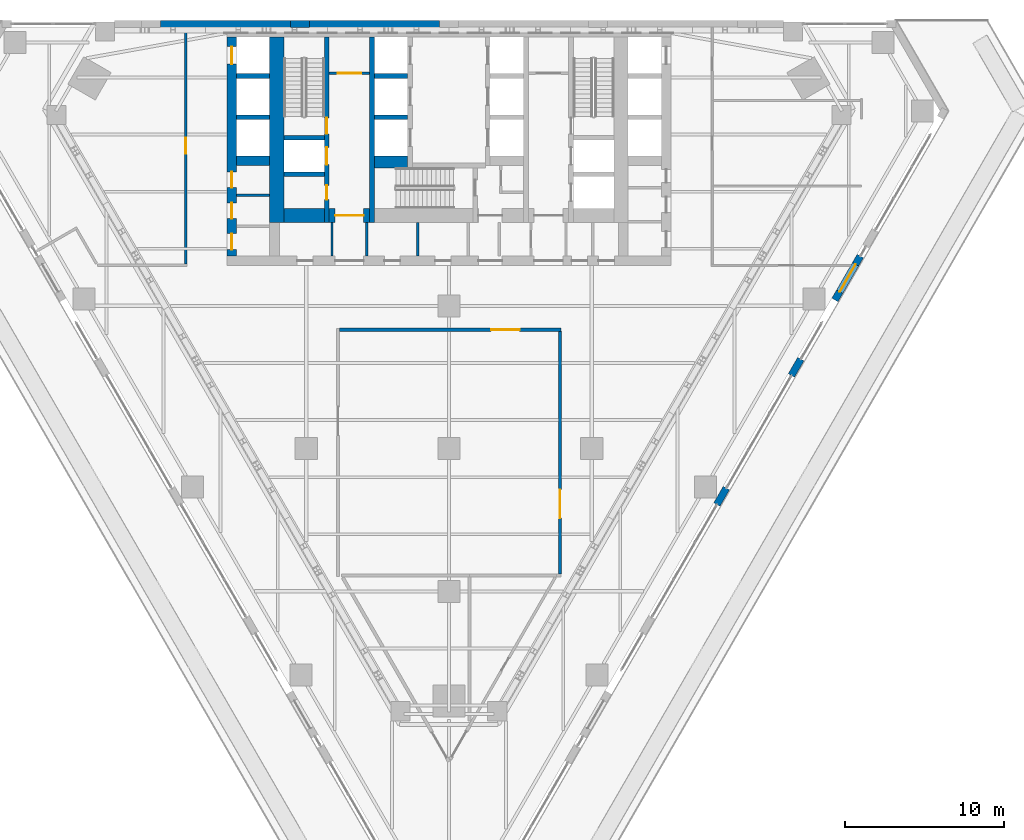
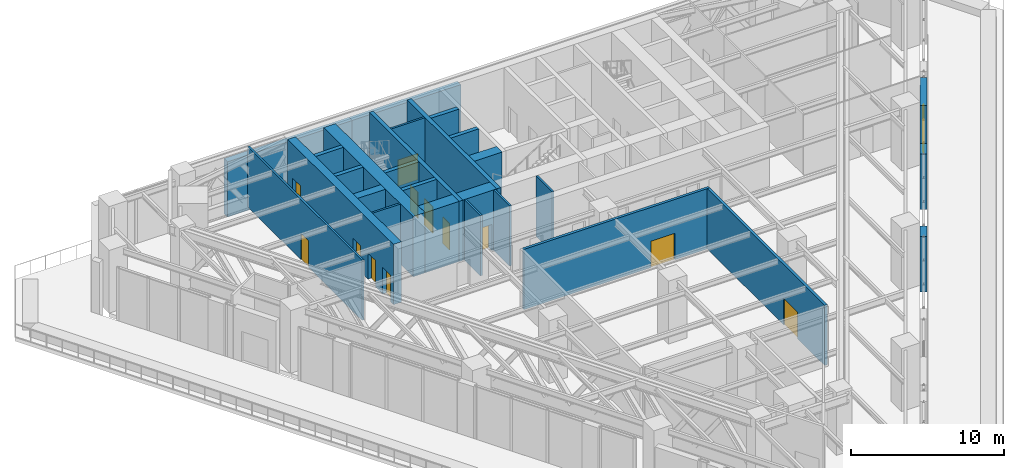
# One storey, part 19 of 25: 28 walls, 13 doors, 13 openings.
"""IFC4 building model written with IfcOpenShell, lengths in metres."""

from ifc_helpers import new_model, si_unit, direction, frame, frame_2d, origin, place, context, subcontext, project, spatial, rectangle, extrude, material, layer, layer_set, type_object, element, fill, save


model = new_model("IFC4")

# Units and contexts
model_context = context("Model", 3, precision=1e-05, world=origin(), true_north=direction((0.0, 1.0)))
body_context = subcontext(model_context, "Body", "Model", "MODEL_VIEW")
ifc_project = project(units=[si_unit("LENGTHUNIT", "METRE"), si_unit("AREAUNIT", "SQUARE_METRE"), si_unit("VOLUMEUNIT", "CUBIC_METRE"), si_unit("PLANEANGLEUNIT", "RADIAN"), si_unit("MASSUNIT", "GRAM", prefix="KILO")], contexts=[model_context])

# Site, building, storey
site_placement = place(None, origin())
site = spatial("IfcSite", under=ifc_project, at=site_placement, CompositionType="ELEMENT")
building_placement = place(site_placement, origin())
building = spatial("IfcBuilding", under=site, at=building_placement, Name="Aloe Facet Convention Tower", CompositionType="ELEMENT")
storey_placement = place(building_placement, frame((0.0, 0.0, 30.0)))
storey = spatial("IfcBuildingStorey", under=building, at=storey_placement, Name="L05", CompositionType="ELEMENT", Elevation=30.0)

# Wall
ifc_material_1 = material(Name="Concrete blockwork partition", Category="masonry")
ifc_layer_1 = layer(ifc_material_1, 0.14990234375)
ifc_layer_set_1 = layer_set([ifc_layer_1], Name="CR-W-PART150")
wall_type_1 = type_object("IfcWallType", Name="CR-W-PART150", PredefinedType="PARTITIONING", material=ifc_layer_set_1)
wall_1_placement = place(storey_placement, frame((66.60009765625, 123.97509765625, 0.0), z_axis=(0.0, 0.0, 1.0), x_axis=(1.0, 0.0, 0.0)))
element("IfcWall", 1, at=wall_1_placement, inside=storey, type_object=wall_type_1, Name="Core partition L05-007", PredefinedType="PARTITIONING", context=body_context, shape_type="SweptSolid", body=[
    extrude(rectangle(XDim=2.099853515625, YDim=0.14990234375, at=frame_2d((1.0498046875, 0.0))), origin(), (0.0, 0.0, 1.0), 4.800048828125),
])

# Wall, opening, door
wall_2_placement = place(storey_placement, frame((72.449951171875, 131.675048828125, 0.0), z_axis=(0.0, 0.0, 1.0), x_axis=(1.0, 0.0, 0.0)))
wall_2 = element("IfcWall", 2, at=wall_2_placement, inside=storey, type_object=wall_type_1, Name="Core partition L05-015", PredefinedType="PARTITIONING", context=body_context, shape_type="SweptSolid", body=[
    extrude(rectangle(XDim=2.550048828125, YDim=0.14990234375, at=frame_2d((1.27490234375, 0.0))), origin(), (0.0, 0.0, 1.0), 4.800048828125),
])
opening_1_placement = place(wall_2_placement, frame((0.52490234375, 0.0, 0.0)))
opening_1 = element("IfcOpeningElement", 3, at=opening_1_placement, cuts=wall_2, Name="Opening L05-CD22", PredefinedType="OPENING", context=body_context, shape_type="SweptSolid", body=[
    extrude(rectangle(XDim=1.5, YDim=2.10009765625, at=frame_2d((0.75, 1.050048828125))), frame((0.0, 0.0849609375, 0.0), z_axis=(0.0, -1.0, 0.0), x_axis=(1.0, 0.0, 0.0)), (0.0, 0.0, 1.0), 0.169921875),
])
ifc_material_2 = material(Name="Steel fire-resisting door set FD60", Category="steel")
door_type_1 = type_object("IfcDoorType", Name="CR-D-REFUGE-1500-FD60-DD", OperationType="DOUBLE_DOOR_DOUBLE_SWING", PredefinedType="DOOR", material=ifc_material_2)
door_1_placement = place(opening_1_placement, origin())
door_1 = element("IfcDoor", 4, at=door_1_placement, inside=storey, type_object=door_type_1, Name="Core door L05-CD22", OperationType="DOUBLE_DOOR_DOUBLE_SWING", OverallHeight=2.10009765625, OverallWidth=1.5, PredefinedType="DOOR", context=body_context, shape_type="SweptSolid", body=[
    extrude(rectangle(XDim=1.5, YDim=2.10009765625, at=frame_2d((0.75, 1.050048828125))), frame((0.0, 0.02490234375, 0.0), z_axis=(0.0, -1.0, 0.0), x_axis=(1.0, 0.0, 0.0)), (0.0, 0.0, 1.0), 0.050048828125),
])
fill(opening_1, door_1)

# Walls
for number, where, z_axis, x_axis, name in (
    (5, (72.625, 122.25, 0.0), (0.0, 0.0, 1.0), (0.0, -1.0, 0.0), "Core partition L05-017"),
    (6, (74.824951171875, 122.25, 0.0), (0.0, 0.0, 1.0), (0.0, -1.0, 0.0), "Core partition L05-018"),
    (7, (78.02490234375, 122.25, 0.0), (0.0, 0.0, 1.0), (0.0, -1.0, 0.0), "Core partition L05-026"),
):
    element("IfcWall", number, at=place(storey_placement, frame(where, z_axis=z_axis, x_axis=x_axis)), inside=storey, type_object=wall_type_1, Name=name, PredefinedType="PARTITIONING", context=body_context, shape_type="SweptSolid", body=[
        extrude(rectangle(XDim=2.10009765625, YDim=0.14990234375, at=frame_2d((1.050048828125, 0.0))), origin(), (0.0, 0.0, 1.0), 4.800048828125),
    ])
ifc_material_3 = material(Name="Concrete C80/95", Category="concrete")
ifc_layer_2 = layer(ifc_material_3, 0.300048828125)
ifc_layer_set_2 = layer_set([ifc_layer_2], Name="CR-W-RC300-C8095")
wall_type_2 = type_object("IfcWallType", Name="CR-W-RC300-C8095", PredefinedType="SOLIDWALL", material=ifc_layer_set_2)
for number, where, z_axis, x_axis, name in (
    (8, (66.60009765625, 131.5, 0.0), (0.0, 0.0, 1.0), (1.0, 0.0, 0.0), "Core wall L05-004"),
    (9, (66.60009765625, 128.89990234375, 0.0), (0.0, 0.0, 1.0), (1.0, 0.0, 0.0), "Core wall L05-005"),
):
    element("IfcWall", number, at=place(storey_placement, frame(where, z_axis=z_axis, x_axis=x_axis)), inside=storey, type_object=wall_type_2, Name=name, PredefinedType="SOLIDWALL", context=body_context, shape_type="SweptSolid", body=[
        extrude(rectangle(XDim=2.099853515625, YDim=0.300048828125, at=frame_2d((1.0498046875, 0.0))), origin(), (0.0, 0.0, 1.0), 4.800048828125),
    ])
for number, where, z_axis, x_axis, name in (
    (10, (69.60009765625, 127.60009765625, 0.0), (0.0, 0.0, 1.0), (1.0, 0.0, 0.0), "Core wall L05-011"),
    (11, (69.60009765625, 125.300048828125, 0.0), (0.0, 0.0, 1.0), (1.0, 0.0, 0.0), "Core wall L05-012"),
):
    element("IfcWall", number, at=place(storey_placement, frame(where, z_axis=z_axis, x_axis=x_axis)), inside=storey, type_object=wall_type_2, Name=name, PredefinedType="SOLIDWALL", context=body_context, shape_type="SweptSolid", body=[
        extrude(rectangle(XDim=2.5498046875, YDim=0.300048828125, at=frame_2d((1.27490234375, 0.0))), origin(), (0.0, 0.0, 1.0), 4.800048828125),
    ])

# Wall, openings, doors
wall_3_placement = place(storey_placement, frame((72.300048828125, 133.949951171875, 0.0), z_axis=(0.0, 0.0, 1.0), x_axis=(0.0, -1.0, 0.0)))
wall_3 = element("IfcWall", 12, at=wall_3_placement, inside=storey, type_object=wall_type_2, Name="Core wall L05-014", PredefinedType="SOLIDWALL", context=body_context, shape_type="SweptSolid", body=[
    extrude(rectangle(XDim=11.699951171875, YDim=0.300048828125, at=frame_2d((5.85009765625, 0.0))), origin(), (0.0, 0.0, 1.0), 4.800048828125),
])
opening_2_placement = place(wall_3_placement, frame((6.949951171875, 0.0, 0.0)))
opening_2 = element("IfcOpeningElement", 13, at=opening_2_placement, cuts=wall_3, Name="Opening LD-FF1-L05", PredefinedType="OPENING", context=body_context, shape_type="SweptSolid", body=[
    extrude(rectangle(XDim=1.10009765625, YDim=2.10009765625, at=frame_2d((0.550048828125, 1.050048828125))), frame((0.0, 0.16015625, 0.0), z_axis=(0.0, -1.0, 0.0), x_axis=(1.0, 0.0, 0.0)), (0.0, 0.0, 1.0), 0.320068359375),
])
opening_3_placement = place(wall_3_placement, frame((9.35009765625, 0.0, 0.0)))
opening_3 = element("IfcOpeningElement", 14, at=opening_3_placement, cuts=wall_3, Name="Opening L05-CD23", PredefinedType="OPENING", context=body_context, shape_type="SweptSolid", body=[
    extrude(rectangle(XDim=0.89990234375, YDim=2.10009765625, at=frame_2d((0.449951171875, 1.050048828125))), frame((0.0, 0.16015625, 0.0), z_axis=(0.0, -1.0, 0.0), x_axis=(1.0, 0.0, 0.0)), (0.0, 0.0, 1.0), 0.320068359375),
])
opening_4_placement = place(wall_3_placement, frame((5.10009765625, 0.0, 0.0)))
opening_4 = element("IfcOpeningElement", 15, at=opening_4_placement, cuts=wall_3, Name="Opening L05-CD30", PredefinedType="OPENING", context=body_context, shape_type="SweptSolid", body=[
    extrude(rectangle(XDim=1.0, YDim=2.10009765625, at=frame_2d((0.5, 1.050048828125))), frame((0.0, 0.16015625, 0.0), z_axis=(0.0, -1.0, 0.0), x_axis=(1.0, 0.0, 0.0)), (0.0, 0.0, 1.0), 0.320068359375),
])
ifc_material_4 = material(Name="Steel fire-resisting door set FD60", Category="steel")
door_type_2 = type_object("IfcDoorType", Name="CR-D-ROOM-900-FD60-SLEFT", OperationType="SINGLE_SWING_LEFT", PredefinedType="DOOR", material=ifc_material_4)
door_2_placement = place(opening_3_placement, origin())
door_2 = element("IfcDoor", 16, at=door_2_placement, inside=storey, type_object=door_type_2, Name="Core door L05-CD23", OperationType="SINGLE_SWING_LEFT", OverallHeight=2.10009765625, OverallWidth=0.89990234375, PredefinedType="DOOR", context=body_context, shape_type="SweptSolid", body=[
    extrude(rectangle(XDim=0.89990234375, YDim=2.10009765625, at=frame_2d((0.449951171875, 1.050048828125))), frame((0.0, 0.02490234375, 0.0), z_axis=(0.0, -1.0, 0.0), x_axis=(1.0, 0.0, 0.0)), (0.0, 0.0, 1.0), 0.050048828125),
])
fill(opening_3, door_2)
ifc_material_5 = material(Name="Steel fire-resisting door set FD120", Category="steel")
door_type_3 = type_object("IfcDoorType", Name="CR-D-STAIR-1000-FD120-SRIGHT", OperationType="SINGLE_SWING_RIGHT", PredefinedType="DOOR", material=ifc_material_5)
door_3_placement = place(opening_4_placement, origin())
door_3 = element("IfcDoor", 17, at=door_3_placement, inside=storey, type_object=door_type_3, Name="Core door L05-CD30", OperationType="SINGLE_SWING_RIGHT", OverallHeight=2.10009765625, OverallWidth=1.0, PredefinedType="DOOR", context=body_context, shape_type="SweptSolid", body=[
    extrude(rectangle(XDim=1.0, YDim=2.10009765625, at=frame_2d((0.5, 1.050048828125))), frame((0.0, 0.02490234375, 0.0), z_axis=(0.0, -1.0, 0.0), x_axis=(1.0, 0.0, 0.0)), (0.0, 0.0, 1.0), 0.050048828125),
])
fill(opening_4, door_3)
ifc_material_6 = material(Name="Stainless steel sliding landing door", Category="steel")
door_type_4 = type_object("IfcDoorType", Name="CR-LD-1100-FD120-_LEFT", OperationType="SLIDING_TO_LEFT", PredefinedType="DOOR", material=ifc_material_6)
door_4_placement = place(opening_2_placement, origin())
door_4 = element("IfcDoor", 18, at=door_4_placement, inside=storey, type_object=door_type_4, Name="Landing door FF1 L05", OperationType="SLIDING_TO_LEFT", OverallHeight=2.10009765625, OverallWidth=1.10009765625, PredefinedType="DOOR", context=body_context, shape_type="SweptSolid", body=[
    extrude(rectangle(XDim=1.10009765625, YDim=2.10009765625, at=frame_2d((0.550048828125, 1.050048828125))), frame((0.0, 0.02490234375, 0.0), z_axis=(0.0, -1.0, 0.0), x_axis=(1.0, 0.0, 0.0)), (0.0, 0.0, 1.0), 0.050048828125),
])
fill(opening_2, door_4)

# Walls
wall_4_placement = place(storey_placement, frame((75.14990234375, 133.949951171875, 0.0), z_axis=(0.0, 0.0, 1.0), x_axis=(0.0, -1.0, 0.0)))
element("IfcWall", 19, at=wall_4_placement, inside=storey, type_object=wall_type_2, Name="Core wall L05-019", PredefinedType="SOLIDWALL", context=body_context, shape_type="SweptSolid", body=[
    extrude(rectangle(XDim=11.699951171875, YDim=0.300048828125, at=frame_2d((5.85009765625, 0.0))), origin(), (0.0, 0.0, 1.0), 4.800048828125),
])
for number, where, z_axis, x_axis, name in (
    (20, (75.300048828125, 131.5, 0.0), (0.0, 0.0, 1.0), (1.0, 0.0, 0.0), "Core wall L05-020"),
    (21, (75.300048828125, 128.89990234375, 0.0), (0.0, 0.0, 1.0), (1.0, 0.0, 0.0), "Core wall L05-021"),
):
    element("IfcWall", number, at=place(storey_placement, frame(where, z_axis=z_axis, x_axis=x_axis)), inside=storey, type_object=wall_type_2, Name=name, PredefinedType="SOLIDWALL", context=body_context, shape_type="SweptSolid", body=[
        extrude(rectangle(XDim=2.099853515625, YDim=0.300048828125, at=frame_2d((1.0498046875, 0.0))), origin(), (0.0, 0.0, 1.0), 4.800048828125),
    ])

# Wall, openings, doors
ifc_material_7 = material(Name="Concrete C80/95", Category="concrete")
ifc_layer_3 = layer(ifc_material_7, 0.60009765625)
ifc_layer_set_3 = layer_set([ifc_layer_3], Name="CR-W-RC600-C8095")
wall_type_3 = type_object("IfcWallType", Name="CR-W-RC600-C8095", PredefinedType="SOLIDWALL", material=ifc_layer_set_3)
wall_5_placement = place(storey_placement, frame((66.300048828125, 133.949951171875, 0.0), z_axis=(0.0, 0.0, 1.0), x_axis=(0.0, -1.0, 0.0)))
wall_5 = element("IfcWall", 22, at=wall_5_placement, inside=storey, type_object=wall_type_3, Name="Core wall L05-002", PredefinedType="SOLIDWALL", context=body_context, shape_type="SweptSolid", body=[
    extrude(rectangle(XDim=13.800048828125, YDim=0.60009765625, at=frame_2d((6.89990234375, 0.0))), origin(), (0.0, 0.0, 1.0), 4.800048828125),
])
opening_5_placement = place(wall_5_placement, frame((0.60009765625, 0.0, 0.0)))
opening_5 = element("IfcOpeningElement", 23, at=opening_5_placement, cuts=wall_5, Name="Opening LD-A7-L05", PredefinedType="OPENING", context=body_context, shape_type="SweptSolid", body=[
    extrude(rectangle(XDim=1.10009765625, YDim=2.10009765625, at=frame_2d((0.550048828125, 1.050048828125))), frame((0.0, 0.31005859375, 0.0), z_axis=(0.0, -1.0, 0.0), x_axis=(1.0, 0.0, 0.0)), (0.0, 0.0, 1.0), 0.6201171875),
])
opening_6_placement = place(wall_5_placement, frame((12.39990234375, 0.0, 0.0)))
opening_6 = element("IfcOpeningElement", 24, at=opening_6_placement, cuts=wall_5, Name="Opening L05-CD34", PredefinedType="OPENING", context=body_context, shape_type="SweptSolid", body=[
    extrude(rectangle(XDim=1.0, YDim=2.10009765625, at=frame_2d((0.5, 1.050048828125))), frame((0.0, 0.31005859375, 0.0), z_axis=(0.0, -1.0, 0.0), x_axis=(1.0, 0.0, 0.0)), (0.0, 0.0, 1.0), 0.6201171875),
])
opening_7_placement = place(wall_5_placement, frame((8.5, 0.0, 0.0)))
opening_7 = element("IfcOpeningElement", 25, at=opening_7_placement, cuts=wall_5, Name="Opening L05-CD35", PredefinedType="OPENING", context=body_context, shape_type="SweptSolid", body=[
    extrude(rectangle(XDim=1.0, YDim=2.10009765625, at=frame_2d((0.5, 1.050048828125))), frame((0.0, 0.31005859375, 0.0), z_axis=(0.0, -1.0, 0.0), x_axis=(1.0, 0.0, 0.0)), (0.0, 0.0, 1.0), 0.6201171875),
])
opening_8_placement = place(wall_5_placement, frame((10.449951171875, 0.0, 0.0)))
opening_8 = element("IfcOpeningElement", 26, at=opening_8_placement, cuts=wall_5, Name="Opening L05-CD36", PredefinedType="OPENING", context=body_context, shape_type="SweptSolid", body=[
    extrude(rectangle(XDim=1.0, YDim=2.10009765625, at=frame_2d((0.5, 1.050048828125))), frame((0.0, 0.31005859375, 0.0), z_axis=(0.0, -1.0, 0.0), x_axis=(1.0, 0.0, 0.0)), (0.0, 0.0, 1.0), 0.6201171875),
])
ifc_material_8 = material(Name="Steel fire-resisting door set FD60", Category="steel")
door_type_5 = type_object("IfcDoorType", Name="CR-D-ROOM-1000-FD60-SLEFT", OperationType="SINGLE_SWING_LEFT", PredefinedType="DOOR", material=ifc_material_8)
door_5_placement = place(opening_6_placement, origin())
door_5 = element("IfcDoor", 27, at=door_5_placement, inside=storey, type_object=door_type_5, Name="Core door L05-CD34", OperationType="SINGLE_SWING_LEFT", OverallHeight=2.10009765625, OverallWidth=1.0, PredefinedType="DOOR", context=body_context, shape_type="SweptSolid", body=[
    extrude(rectangle(XDim=1.0, YDim=2.10009765625, at=frame_2d((0.5, 1.050048828125))), frame((0.0, 0.02490234375, 0.0), z_axis=(0.0, -1.0, 0.0), x_axis=(1.0, 0.0, 0.0)), (0.0, 0.0, 1.0), 0.050048828125),
])
fill(opening_6, door_5)
door_6_placement = place(opening_7_placement, origin())
door_6 = element("IfcDoor", 28, at=door_6_placement, inside=storey, type_object=door_type_5, Name="Core door L05-CD35", OperationType="SINGLE_SWING_LEFT", OverallHeight=2.10009765625, OverallWidth=1.0, PredefinedType="DOOR", context=body_context, shape_type="SweptSolid", body=[
    extrude(rectangle(XDim=1.0, YDim=2.10009765625, at=frame_2d((0.5, 1.050048828125))), frame((0.0, 0.02490234375, 0.0), z_axis=(0.0, -1.0, 0.0), x_axis=(1.0, 0.0, 0.0)), (0.0, 0.0, 1.0), 0.050048828125),
])
fill(opening_7, door_6)
door_7_placement = place(opening_8_placement, origin())
door_7 = element("IfcDoor", 29, at=door_7_placement, inside=storey, type_object=door_type_5, Name="Core door L05-CD36", OperationType="SINGLE_SWING_LEFT", OverallHeight=2.10009765625, OverallWidth=1.0, PredefinedType="DOOR", context=body_context, shape_type="SweptSolid", body=[
    extrude(rectangle(XDim=1.0, YDim=2.10009765625, at=frame_2d((0.5, 1.050048828125))), frame((0.0, 0.02490234375, 0.0), z_axis=(0.0, -1.0, 0.0), x_axis=(1.0, 0.0, 0.0)), (0.0, 0.0, 1.0), 0.050048828125),
])
fill(opening_8, door_7)
ifc_material_9 = material(Name="Stainless steel sliding landing door", Category="steel")
door_type_6 = type_object("IfcDoorType", Name="CR-LD-1100-FD60-_LEFT", OperationType="SLIDING_TO_LEFT", PredefinedType="DOOR", material=ifc_material_9)
door_8_placement = place(opening_5_placement, origin())
door_8 = element("IfcDoor", 30, at=door_8_placement, inside=storey, type_object=door_type_6, Name="Landing door A7 L05", OperationType="SLIDING_TO_LEFT", OverallHeight=2.10009765625, OverallWidth=1.10009765625, PredefinedType="DOOR", context=body_context, shape_type="SweptSolid", body=[
    extrude(rectangle(XDim=1.10009765625, YDim=2.10009765625, at=frame_2d((0.550048828125, 1.050048828125))), frame((0.0, 0.02490234375, 0.0), z_axis=(0.0, -1.0, 0.0), x_axis=(1.0, 0.0, 0.0)), (0.0, 0.0, 1.0), 0.050048828125),
])
fill(opening_5, door_8)

# Walls
wall_6_placement = place(storey_placement, frame((66.60009765625, 126.14990234375, 0.0), z_axis=(0.0, 0.0, 1.0), x_axis=(1.0, 0.0, 0.0)))
element("IfcWall", 31, at=wall_6_placement, inside=storey, type_object=wall_type_3, Name="Core wall L05-006", PredefinedType="SOLIDWALL", context=body_context, shape_type="SweptSolid", body=[
    extrude(rectangle(XDim=2.099853515625, YDim=0.60009765625, at=frame_2d((1.0498046875, 0.0))), origin(), (0.0, 0.0, 1.0), 4.800048828125),
])
ifc_material_10 = material(Name="Concrete C80/95", Category="concrete")
ifc_layer_4 = layer(ifc_material_10, 0.75)
ifc_layer_set_4 = layer_set([ifc_layer_4], Name="CR-W-RC750-C8095")
wall_type_4 = type_object("IfcWallType", Name="CR-W-RC750-C8095", PredefinedType="SOLIDWALL", material=ifc_layer_set_4)
wall_7_placement = place(storey_placement, frame((75.300048828125, 126.074951171875, 0.0), z_axis=(0.0, 0.0, 1.0), x_axis=(1.0, 0.0, 0.0)))
element("IfcWall", 32, at=wall_7_placement, inside=storey, type_object=wall_type_4, Name="Core wall L05-022", PredefinedType="SOLIDWALL", context=body_context, shape_type="SweptSolid", body=[
    extrude(rectangle(XDim=2.099853515625, YDim=0.75, at=frame_2d((1.0498046875, 0.0))), origin(), (0.0, 0.0, 1.0), 4.800048828125),
])
ifc_material_11 = material(Name="Concrete C80/95", Category="concrete")
ifc_layer_5 = layer(ifc_material_11, 0.89990234375)
ifc_layer_set_5 = layer_set([ifc_layer_5], Name="CR-W-RC900-C8095")
wall_type_5 = type_object("IfcWallType", Name="CR-W-RC900-C8095", PredefinedType="SOLIDWALL", material=ifc_layer_set_5)
wall_8_placement = place(storey_placement, frame((69.14990234375, 133.949951171875, 0.0), z_axis=(0.0, 0.0, 1.0), x_axis=(0.0, -1.0, 0.0)))
element("IfcWall", 33, at=wall_8_placement, inside=storey, type_object=wall_type_5, Name="Core wall L05-009", PredefinedType="SOLIDWALL", context=body_context, shape_type="SweptSolid", body=[
    extrude(rectangle(XDim=11.699951171875, YDim=0.89990234375, at=frame_2d((5.85009765625, 0.0))), origin(), (0.0, 0.0, 1.0), 4.800048828125),
])
wall_9_placement = place(storey_placement, frame((69.60009765625, 122.699951171875, 0.0), z_axis=(0.0, 0.0, 1.0), x_axis=(1.0, 0.0, 0.0)))
element("IfcWall", 34, at=wall_9_placement, inside=storey, type_object=wall_type_5, Name="Core wall L05-013", PredefinedType="SOLIDWALL", context=body_context, shape_type="SweptSolid", body=[
    extrude(rectangle(XDim=2.5498046875, YDim=0.89990234375, at=frame_2d((1.27490234375, 0.0))), origin(), (0.0, 0.0, 1.0), 4.800048828125),
])

# Wall, opening, door
wall_10_placement = place(storey_placement, frame((72.449951171875, 122.699951171875, 0.0), z_axis=(0.0, 0.0, 1.0), x_axis=(1.0, 0.0, 0.0)))
wall_10 = element("IfcWall", 35, at=wall_10_placement, inside=storey, type_object=wall_type_5, Name="Core wall L05-016", PredefinedType="SOLIDWALL", context=body_context, shape_type="SweptSolid", body=[
    extrude(rectangle(XDim=2.550048828125, YDim=0.89990234375, at=frame_2d((1.27490234375, 0.0))), origin(), (0.0, 0.0, 1.0), 4.800048828125),
])
opening_9_placement = place(wall_10_placement, frame((0.375, 0.0, 0.0)))
opening_9 = element("IfcOpeningElement", 36, at=opening_9_placement, cuts=wall_10, Name="Opening L05-CD15", PredefinedType="OPENING", context=body_context, shape_type="SweptSolid", body=[
    extrude(rectangle(XDim=1.800048828125, YDim=2.10009765625, at=frame_2d((0.89990234375, 1.050048828125))), frame((0.0, 0.4599609375, 0.0), z_axis=(0.0, -1.0, 0.0), x_axis=(1.0, 0.0, 0.0)), (0.0, 0.0, 1.0), 0.919921875),
])
ifc_material_12 = material(Name="Steel fire-resisting door set FD120", Category="steel")
door_type_7 = type_object("IfcDoorType", Name="CR-D-EXIT-1800-FD120-DD", OperationType="DOUBLE_DOOR_DOUBLE_SWING", PredefinedType="DOOR", material=ifc_material_12)
door_9_placement = place(opening_9_placement, origin())
door_9 = element("IfcDoor", 37, at=door_9_placement, inside=storey, type_object=door_type_7, Name="Core door L05-CD15", OperationType="DOUBLE_DOOR_DOUBLE_SWING", OverallHeight=2.10009765625, OverallWidth=1.800048828125, PredefinedType="DOOR", context=body_context, shape_type="SweptSolid", body=[
    extrude(rectangle(XDim=1.800048828125, YDim=2.10009765625, at=frame_2d((0.89990234375, 1.050048828125))), frame((0.0, 0.02490234375, 0.0), z_axis=(0.0, -1.0, 0.0), x_axis=(1.0, 0.0, 0.0)), (0.0, 0.0, 1.0), 0.050048828125),
])
fill(opening_9, door_9)

# Walls
ifc_material_13 = material(Name="Precast concrete C40/50", Category="concrete")
ifc_layer_6 = layer(ifc_material_13, 0.449951171875)
ifc_layer_set_6 = layer_set([ifc_layer_6], Name="EV-WALL-STONE")
wall_type_6 = type_object("IfcWallType", Name="EV-WALL-STONE", PredefinedType="SOLIDWALL", material=ifc_layer_set_6)
wall_11_placement = place(storey_placement, frame((79.39990234375, 134.77490234375, -0.300048828125), z_axis=(0.0, 0.0, 1.0), x_axis=(-1.0, 0.0, 0.0)))
element("IfcWall", 38, at=wall_11_placement, inside=storey, type_object=wall_type_6, Name="PW-L05-N08", PredefinedType="SOLIDWALL", context=body_context, shape_type="SweptSolid", body=[
    extrude(rectangle(XDim=8.191162109375, YDim=0.449951171875, at=frame_2d((4.095703125, 0.0))), origin(), (0.0, 0.0, 1.0), 4.41259765625),
])
wall_12_placement = place(storey_placement, frame((71.208740234375, 134.77490234375, -0.300048828125), z_axis=(0.0, 0.0, 1.0), x_axis=(-1.0, 0.0, 0.0)))
element("IfcWall", 39, at=wall_12_placement, inside=storey, type_object=wall_type_6, Name="PW-L05-N09", PredefinedType="SOLIDWALL", context=body_context, shape_type="SweptSolid", body=[
    extrude(rectangle(XDim=1.199951171875, YDim=0.449951171875, at=frame_2d((0.60009765625, 0.0))), origin(), (0.0, 0.0, 1.0), 4.41259765625),
])
wall_13_placement = place(storey_placement, frame((70.0087890625, 134.77490234375, -0.300048828125), z_axis=(0.0, 0.0, 1.0), x_axis=(-1.0, 0.0, 0.0)))
element("IfcWall", 40, at=wall_13_placement, inside=storey, type_object=wall_type_6, Name="PW-L05-N10", PredefinedType="SOLIDWALL", context=body_context, shape_type="SweptSolid", body=[
    extrude(rectangle(XDim=8.191162109375, YDim=0.449951171875, at=frame_2d((4.095703125, 0.0))), origin(), (0.0, 0.0, 1.0), 4.41259765625),
])
for number, where, z_axis, x_axis, name in (
    (41, (96.891845703125, 104.47802734375, -0.300048828125), (0.0, 0.0, 1.0), (0.500033551112, 0.866006032174, 0.0), "PW-L05-E07"),
    (42, (101.58740234375, 112.611083984375, -0.300048828125), (0.0, 0.0, 1.0), (0.500033551112, 0.866006032174, 0.0), "PW-L05-E09"),
):
    element("IfcWall", number, at=place(storey_placement, frame(where, z_axis=z_axis, x_axis=x_axis)), inside=storey, type_object=wall_type_6, Name=name, PredefinedType="SOLIDWALL", context=body_context, shape_type="SweptSolid", body=[
        extrude(rectangle(XDim=1.2001953125, YDim=0.449951171875, at=frame_2d((0.60009765625, 0.0))), origin(), (0.0, 0.0, 1.0), 4.41259765625),
    ])

# Wall, opening, door
wall_14_placement = place(storey_placement, frame((104.335205078125, 117.370361328125, -0.300048828125), z_axis=(0.0, 0.0, 1.0), x_axis=(0.499995408039, 0.866028054938, 0.0)))
wall_14 = element("IfcWall", 43, at=wall_14_placement, inside=storey, type_object=wall_type_6, Name="PW-L05-E10", PredefinedType="SOLIDWALL", context=body_context, shape_type="SweptSolid", body=[
    extrude(rectangle(XDim=3.2001953125, YDim=0.449951171875, at=frame_2d((1.60009765625, 0.0))), origin(), (0.0, 0.0, 1.0), 4.41259765625),
])
opening_10_placement = place(wall_14_placement, frame((0.60009765625, 0.0, 0.300048828125)))
opening_10 = element("IfcOpeningElement", 44, at=opening_10_placement, cuts=wall_14, Name="Opening D-L05-E10", PredefinedType="OPENING", context=body_context, shape_type="SweptSolid", body=[
    extrude(rectangle(XDim=2.0, YDim=2.39990234375, at=frame_2d((1.0, 1.199951171875))), frame((0.0, 0.23486328125, 0.0), z_axis=(0.0, -1.0, 0.0), x_axis=(1.0, 0.0, 0.0)), (0.0, 0.0, 1.0), 0.469970703125),
])
ifc_material_14 = material(Name="Aluminium frame, clear double glazing", Category="aluminium")
door_type_8 = type_object("IfcDoorType", Name="EV-DOOR-HALL", OperationType="DOUBLE_DOOR_SINGLE_SWING", PredefinedType="DOOR", material=ifc_material_14)
door_10_placement = place(opening_10_placement, origin())
door_10 = element("IfcDoor", 45, at=door_10_placement, inside=storey, type_object=door_type_8, Name="D-L05-E10", OperationType="DOUBLE_DOOR_SINGLE_SWING", OverallHeight=2.39990234375, OverallWidth=2.0, PredefinedType="DOOR", context=body_context, shape_type="SweptSolid", body=[
    extrude(rectangle(XDim=2.0, YDim=2.39990234375, at=frame_2d((1.0, 1.199951171875))), frame((0.0, 0.02490234375, 0.0), z_axis=(0.0, -1.0, 0.0), x_axis=(1.0, 0.0, 0.0)), (0.0, 0.0, 1.0), 0.050048828125),
])
fill(opening_10, door_10)

ifc_material_15 = material(Name="Masonry blockwork wall, plastered", Category="masonry")
ifc_layer_7 = layer(ifc_material_15, 0.199951171875)
ifc_layer_set_7 = layer_set([ifc_layer_7], Name="IN-POD-W-ASSY")
wall_type_7 = type_object("IfcWallType", Name="IN-POD-W-ASSY", PredefinedType="PARTITIONING", material=ifc_layer_set_7)
wall_15_placement = place(storey_placement, frame((73.0849609375, 115.5, 0.0), z_axis=(0.0, 0.0, 1.0), x_axis=(1.0, 0.0, 0.0)))
wall_15 = element("IfcWall", 46, at=wall_15_placement, inside=storey, type_object=wall_type_7, Name="Partition L05-W010", PredefinedType="PARTITIONING", context=body_context, shape_type="SweptSolid", body=[
    extrude(rectangle(XDim=13.989990234375, YDim=0.199951171875, at=frame_2d((6.9951171875, 0.0))), origin(), (0.0, 0.0, 1.0), 4.800048828125),
])
opening_11_placement = place(wall_15_placement, frame((9.572021484375, 0.0, 0.0)))
opening_11 = element("IfcOpeningElement", 47, at=opening_11_placement, cuts=wall_15, Name="Opening L05-007", PredefinedType="OPENING", context=body_context, shape_type="SweptSolid", body=[
    extrude(rectangle(XDim=1.800048828125, YDim=2.10009765625, at=frame_2d((0.89990234375, 1.050048828125))), frame((0.0, 0.10986328125, 0.0), z_axis=(0.0, -1.0, 0.0), x_axis=(1.0, 0.0, 0.0)), (0.0, 0.0, 1.0), 0.219970703125),
])
ifc_material_16 = material(Name="Hardwood flush door pair", Category="wood")
door_type_9 = type_object("IfcDoorType", Name="IN-POD-D-PAIR", OperationType="DOUBLE_DOOR_SINGLE_SWING", PredefinedType="DOOR", material=ifc_material_16)
door_11_placement = place(opening_11_placement, origin())
door_11 = element("IfcDoor", 48, at=door_11_placement, inside=storey, type_object=door_type_9, Name="Door L05-007", OperationType="SINGLE_SWING_LEFT", OverallHeight=2.10009765625, OverallWidth=1.800048828125, PredefinedType="DOOR", context=body_context, shape_type="SweptSolid", body=[
    extrude(rectangle(XDim=1.800048828125, YDim=2.10009765625, at=frame_2d((0.89990234375, 1.050048828125))), frame((0.0, 0.02490234375, 0.0), z_axis=(0.0, -1.0, 0.0), x_axis=(1.0, 0.0, 0.0)), (0.0, 0.0, 1.0), 0.050048828125),
])
fill(opening_11, door_11)

wall_16_placement = place(storey_placement, frame((87.0, 100.0849609375, 0.0), z_axis=(0.0, 0.0, 1.0), x_axis=(0.0, 1.0, 0.0)))
wall_16 = element("IfcWall", 49, at=wall_16_placement, inside=storey, type_object=wall_type_7, Name="Partition L05-W011", PredefinedType="PARTITIONING", context=body_context, shape_type="SweptSolid", body=[
    extrude(rectangle(XDim=15.330078125, YDim=0.199951171875, at=frame_2d((7.6650390625, 0.0))), origin(), (0.0, 0.0, 1.0), 4.800048828125),
])
opening_12_placement = place(wall_16_placement, frame((3.532470703125, 0.0, 0.0)))
opening_12 = element("IfcOpeningElement", 50, at=opening_12_placement, cuts=wall_16, Name="Opening L05-006", PredefinedType="OPENING", context=body_context, shape_type="SweptSolid", body=[
    extrude(rectangle(XDim=1.800048828125, YDim=2.10009765625, at=frame_2d((0.89990234375, 1.050048828125))), frame((0.0, 0.10986328125, 0.0), z_axis=(0.0, -1.0, 0.0), x_axis=(1.0, 0.0, 0.0)), (0.0, 0.0, 1.0), 0.219970703125),
])
door_12_placement = place(opening_12_placement, origin())
door_12 = element("IfcDoor", 51, at=door_12_placement, inside=storey, type_object=door_type_9, Name="Door L05-006", OperationType="SINGLE_SWING_LEFT", OverallHeight=2.10009765625, OverallWidth=1.800048828125, PredefinedType="DOOR", context=body_context, shape_type="SweptSolid", body=[
    extrude(rectangle(XDim=1.800048828125, YDim=2.10009765625, at=frame_2d((0.89990234375, 1.050048828125))), frame((0.0, 0.02490234375, 0.0), z_axis=(0.0, -1.0, 0.0), x_axis=(1.0, 0.0, 0.0)), (0.0, 0.0, 1.0), 0.050048828125),
])
fill(opening_12, door_12)

ifc_material_17 = material(Name="Gypsum board partition on steel studs, double layer", Category="steel")
ifc_layer_8 = layer(ifc_material_17, 0.14990234375)
ifc_layer_set_8 = layer_set([ifc_layer_8], Name="IN-POD-W-CORR")
wall_type_8 = type_object("IfcWallType", Name="IN-POD-W-CORR", PredefinedType="PARTITIONING", material=ifc_layer_set_8)
wall_17_placement = place(storey_placement, frame((63.3994140625, 119.625, 0.0), z_axis=(0.0, 0.0, 1.0), x_axis=(3.2715555e-05, 0.999999999465, 0.0)))
wall_17 = element("IfcWall", 52, at=wall_17_placement, inside=storey, type_object=wall_type_8, Name="Partition L05-W013", PredefinedType="PARTITIONING", context=body_context, shape_type="SweptSolid", body=[
    extrude(rectangle(XDim=14.925048828125, YDim=0.14990234375, at=frame_2d((7.46240234375, 0.0))), origin(), (0.0, 0.0, 1.0), 4.800048828125),
])
opening_13_placement = place(wall_17_placement, frame((6.96240234375, 0.0, 0.0)))
opening_13 = element("IfcOpeningElement", 53, at=opening_13_placement, cuts=wall_17, Name="Opening L05-004", PredefinedType="OPENING", context=body_context, shape_type="SweptSolid", body=[
    extrude(rectangle(XDim=1.0, YDim=2.10009765625, at=frame_2d((0.5, 1.050048828125))), frame((0.0, 0.0849609375, 0.0), z_axis=(0.0, -1.0, 0.0), x_axis=(1.0, 0.0, 0.0)), (0.0, 0.0, 1.0), 0.169921875),
])
ifc_material_18 = material(Name="Hardwood flush door", Category="wood")
door_type_10 = type_object("IfcDoorType", Name="IN-POD-D-WIDE", OperationType="SINGLE_SWING_LEFT", PredefinedType="DOOR", material=ifc_material_18)
door_13_placement = place(opening_13_placement, origin())
door_13 = element("IfcDoor", 54, at=door_13_placement, inside=storey, type_object=door_type_10, Name="Door L05-004", OperationType="SINGLE_SWING_LEFT", OverallHeight=2.10009765625, OverallWidth=1.0, PredefinedType="DOOR", context=body_context, shape_type="SweptSolid", body=[
    extrude(rectangle(XDim=1.0, YDim=2.10009765625, at=frame_2d((0.5, 1.050048828125))), frame((0.0, 0.02490234375, 0.0), z_axis=(0.0, -1.0, 0.0), x_axis=(1.0, 0.0, 0.0)), (0.0, 0.0, 1.0), 0.050048828125),
])
fill(opening_13, door_13)

save(model, "model.ifc")
